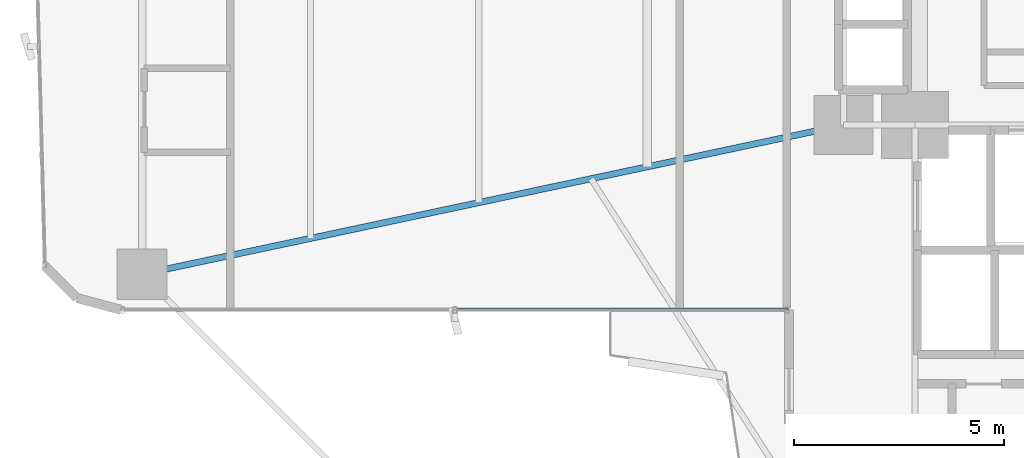
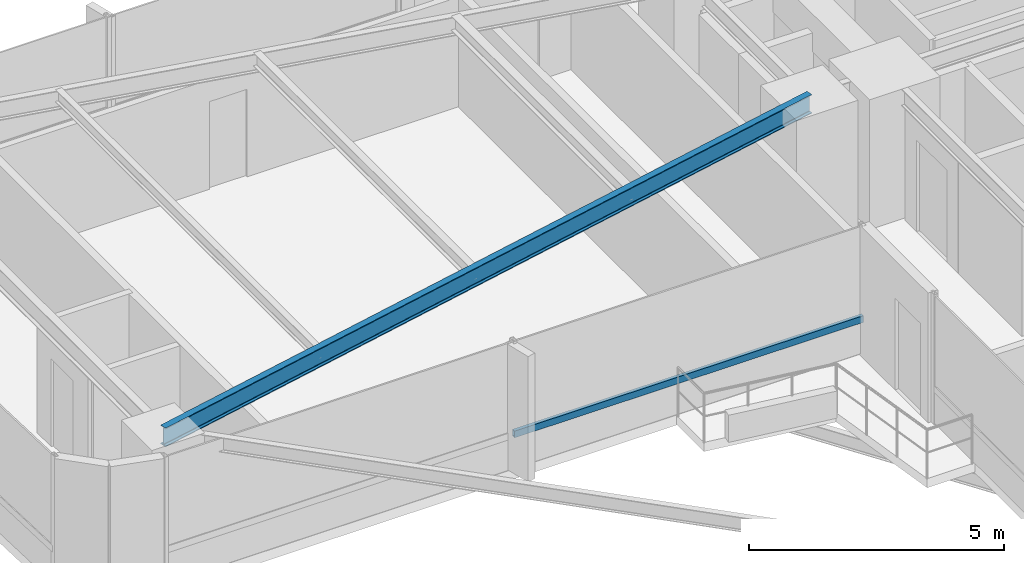
# One storey, part 7 of 25: 1 beam, 1 member, 1 element without a shape of its own.
"""IFC4 building model written with IfcOpenShell, lengths in metres."""

from ifc_helpers import new_model, si_unit, direction, frame, origin, origin_2d, place, context, subcontext, project, spatial, hollow_rectangle, i_section, extrude, source, transform, mapped, material, material_profile, profile_set, type_object, element, aggregate, save


model = new_model("IFC4")

# Units and contexts
model_context = context("Model", 3, precision=1e-05, world=origin(), true_north=direction((0.0, 1.0)))
body_context = subcontext(model_context, "Body", "Model", "MODEL_VIEW")
ifc_project = project(units=[si_unit("LENGTHUNIT", "METRE"), si_unit("AREAUNIT", "SQUARE_METRE"), si_unit("VOLUMEUNIT", "CUBIC_METRE"), si_unit("PLANEANGLEUNIT", "RADIAN"), si_unit("MASSUNIT", "GRAM", prefix="KILO")], contexts=[model_context])

# Site, building, storey
site_placement = place(None, origin())
site = spatial("IfcSite", under=ifc_project, at=site_placement, CompositionType="ELEMENT")
building_placement = place(site_placement, origin())
building = spatial("IfcBuilding", under=site, at=building_placement, Name="Sahyath Konkavel Grand Hotel", CompositionType="ELEMENT")
storey_placement = place(building_placement, frame((0.0, 0.0, 36.5)))
storey = spatial("IfcBuildingStorey", under=building, at=storey_placement, Name="L09", CompositionType="ELEMENT", Elevation=36.5)

# Beam
ifc_material_1 = material(Name="Steel E350", Category="steel")
ifc_material_profile_1 = material_profile(ifc_material_1, i_section(OverallWidth=0.14990234375, OverallDepth=0.449951171875, WebThickness=0.009521484375, FlangeThickness=0.017333984375, FilletRadius=0.014892578125, at=origin_2d()), Name="ISMB 450")
ifc_profile_set_1 = profile_set([ifc_material_profile_1], Name="Steel E350")
beam_type = type_object("IfcBeamType", Name="BM-ISMB450", PredefinedType="BEAM", material=ifc_profile_set_1)
shared_shape_1 = source(origin(), body_context, "Body", "SweptSolid", [
    extrude(i_section(OverallWidth=0.14990234375, OverallDepth=0.449951171875, WebThickness=0.009521484375, FlangeThickness=0.017333984375, FilletRadius=0.014892578125, at=origin_2d()), origin(), (0.0, 0.0, 1.0), 17.072998046875),
])
beam_placement = place(storey_placement, frame((-5.5, -2.39990234375, 2.885009765625), z_axis=(-0.978143257225, -0.20793212437, 0.0), x_axis=(0.20793212437, -0.978143257225, 0.0)))
element("IfcBeam", 1, at=beam_placement, inside=storey, type_object=beam_type, Name="L09 Cruciform Radial Girder WB", PredefinedType="BEAM", context=body_context, shape_type="MappedRepresentation", body=[
    mapped(shared_shape_1, transform((0.0, 0.0, 0.0), scale=1.0)),
])

# Curtain wall, member
ifc_material_2 = material(Name="Anodised Bronze Aluminium & Low-E Glazing", Category="aluminium")
curtain_wall_type = type_object("IfcCurtainWallType", Name="CW-ZONE1", PredefinedType="NOTDEFINED", material=ifc_material_2)
curtain_wall_placement = place(storey_placement, origin())
curtain_wall = element("IfcCurtainWall", 2, at=curtain_wall_placement, inside=storey, type_object=curtain_wall_type, Name="L09 Unitised Curtain Wall F23", PredefinedType="NOTDEFINED")
ifc_material_3 = material(Name="Anodised Bronze Aluminium", Category="aluminium")
ifc_material_profile_2 = material_profile(ifc_material_3, hollow_rectangle(XDim=0.080078125, YDim=0.159912109375, WallThickness=0.006103515625, at=origin_2d()), Name="RHS 160x80x6")
ifc_profile_set_2 = profile_set([ifc_material_profile_2], Name="Anodised Bronze Aluminium")
member_type = type_object("IfcMemberType", Name="CW-TRN-160", PredefinedType="USERDEFINED", material=ifc_profile_set_2)
shared_shape_2 = source(origin(), body_context, "Body", "SweptSolid", [
    extrude(hollow_rectangle(XDim=0.080078125, YDim=0.159912109375, WallThickness=0.006103515625, at=origin_2d()), origin(), (0.0, 0.0, 1.0), 7.909912109375),
])
member_placement = place(storey_placement, frame((-14.75, -6.800048828125, 0.85009765625), z_axis=(1.0, 0.0, 0.0), x_axis=(0.0, 1.0, 0.0)))
member = element("IfcMember", 3, at=member_placement, type_object=member_type, Name="L09 Curtain Wall Transom F23-1-spandrel", ObjectType="TRANSOM", PredefinedType="USERDEFINED", context=body_context, shape_type="MappedRepresentation", body=[
    mapped(shared_shape_2, transform((0.0, 0.0, 0.0), scale=1.0)),
])
aggregate(curtain_wall, [member])

save(model, "model.ifc")
